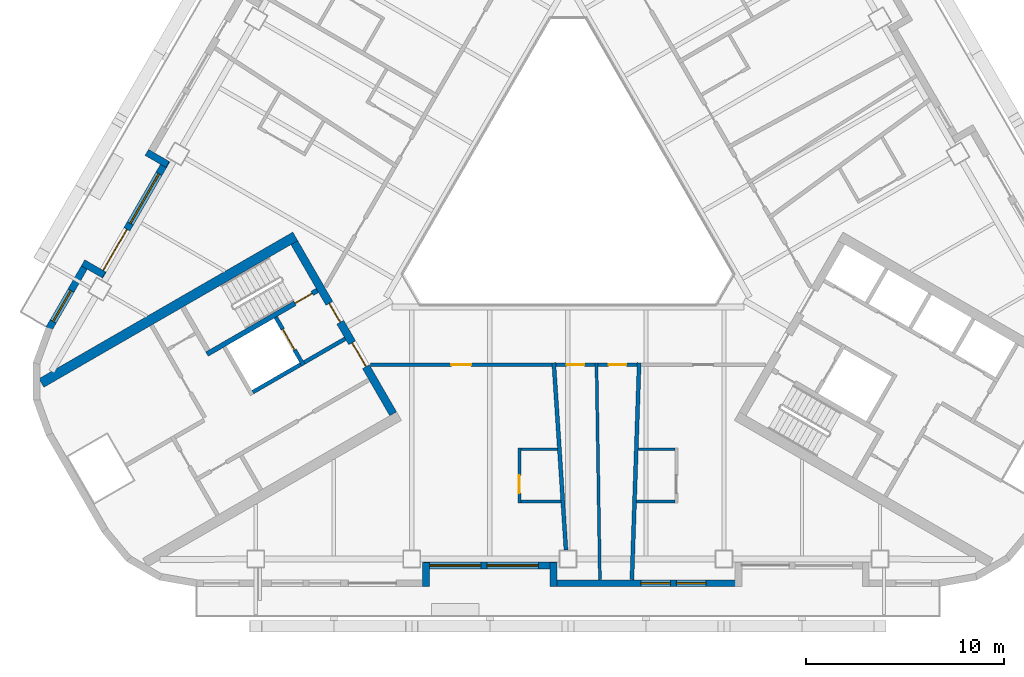
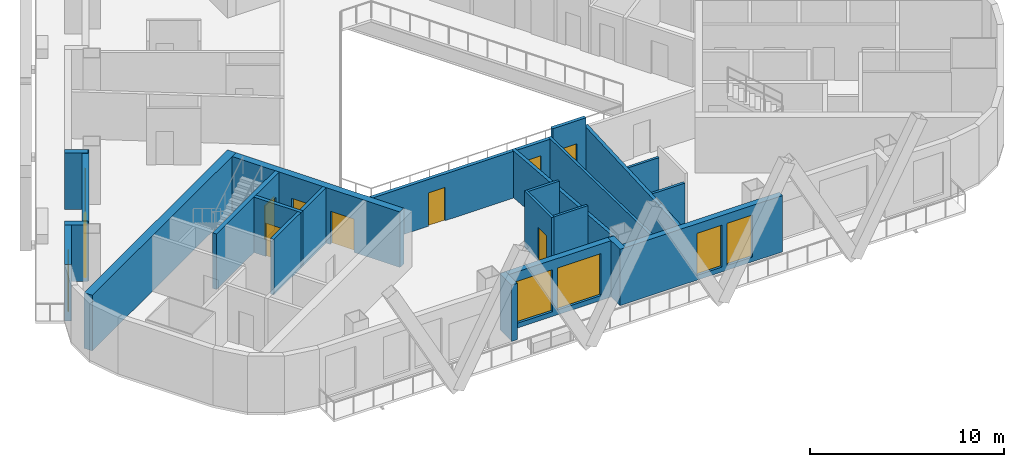
# One storey, part 3 of 14: 25 walls, 9 doors, 6 windows, 15 openings.
"""IFC4 building model written with IfcOpenShell, lengths in metres."""

from ifc_helpers import new_model, si_unit, direction, frame, frame_2d, origin, place, context, subcontext, project, spatial, rectangle, extrude, material, layer, layer_set, type_object, element, fill, save


model = new_model("IFC4")

# Units and contexts
model_context = context("Model", 3, precision=1e-05, world=origin(), true_north=direction((0.0, 1.0)))
body_context = subcontext(model_context, "Body", "Model", "MODEL_VIEW")
ifc_project = project(units=[si_unit("LENGTHUNIT", "METRE"), si_unit("AREAUNIT", "SQUARE_METRE"), si_unit("VOLUMEUNIT", "CUBIC_METRE"), si_unit("PLANEANGLEUNIT", "RADIAN"), si_unit("MASSUNIT", "GRAM", prefix="KILO")], contexts=[model_context])

# Site, building, storey
site_placement = place(None, origin())
site = spatial("IfcSite", under=ifc_project, at=site_placement, CompositionType="ELEMENT")
building_placement = place(site_placement, origin())
building = spatial("IfcBuilding", under=site, at=building_placement, Name="Apuvela Tower Hotel", CompositionType="ELEMENT")
storey_placement = place(building_placement, frame((0.0, 0.0, 113.10009765625)))
storey = spatial("IfcBuildingStorey", under=building, at=storey_placement, Name="L26", CompositionType="ELEMENT", Elevation=113.10009765625)

# Wall, openings, doors
ifc_material_1 = material(Name="Concrete C50/60", Category="concrete")
ifc_layer_1 = layer(ifc_material_1, 0.39990234375)
ifc_layer_set_1 = layer_set([ifc_layer_1], Name="COR-WALL-CORE-400")
wall_type_1 = type_object("IfcWallType", Name="COR-WALL-CORE-400", PredefinedType="SHEAR", material=ifc_layer_set_1)
wall_1_placement = place(storey_placement, frame((-13.844970703125, -2.219970703125, 0.0), z_axis=(0.0, 0.0, 1.0), x_axis=(0.500004234368, -0.866022959057, 0.0)))
wall_1 = element("IfcWall", 1, at=wall_1_placement, inside=storey, type_object=wall_type_1, Name="Core wall SW", PredefinedType="SHEAR", context=body_context, shape_type="SweptSolid", body=[
    extrude(rectangle(XDim=10.0, YDim=0.39990234375, at=frame_2d((5.0, 0.0))), origin(), (0.0, 0.0, 1.0), 3.5),
])
opening_1_placement = place(wall_1_placement, frame((3.550048828125, 0.0, 0.0)))
opening_1 = element("IfcOpeningElement", 2, at=opening_1_placement, cuts=wall_1, Name="Opening W-FD", PredefinedType="OPENING", context=body_context, shape_type="SweptSolid", body=[
    extrude(rectangle(XDim=1.10009765625, YDim=2.10009765625, at=frame_2d((0.550048828125, 1.050048828125))), frame((0.0, 0.2099609375, 0.0), z_axis=(0.0, -1.0, 0.0), x_axis=(1.0, 0.0, 0.0)), (0.0, 0.0, 1.0), 0.419921875),
])
opening_2_placement = place(wall_1_placement, frame((5.85009765625, 0.0, 0.0)))
opening_2 = element("IfcOpeningElement", 3, at=opening_2_placement, cuts=wall_1, Name="Opening W-GD", PredefinedType="OPENING", context=body_context, shape_type="SweptSolid", body=[
    extrude(rectangle(XDim=1.39990234375, YDim=2.10009765625, at=frame_2d((0.699951171875, 1.050048828125))), frame((0.0, 0.2099609375, 0.0), z_axis=(0.0, -1.0, 0.0), x_axis=(1.0, 0.0, 0.0)), (0.0, 0.0, 1.0), 0.419921875),
])
ifc_material_2 = material(Name="Steel fire door, powder coated", Category="steel")
door_type_1 = type_object("IfcDoorType", Name="COR-FD-1100", OperationType="NOTDEFINED", PredefinedType="DOOR", material=ifc_material_2)
door_1_placement = place(opening_1_placement, frame((1.10009765625, 0.0, 0.0), z_axis=(0.0, 0.0, 1.0), x_axis=(-1.0, 0.0, 0.0)))
door_1 = element("IfcDoor", 4, at=door_1_placement, inside=storey, type_object=door_type_1, Name="Firefighting lobby door W-FD", OperationType="SINGLE_SWING_LEFT", OverallHeight=2.10009765625, OverallWidth=1.10009765625, PredefinedType="DOOR", context=body_context, shape_type="SweptSolid", body=[
    extrude(rectangle(XDim=1.10009765625, YDim=2.10009765625, at=frame_2d((0.550048828125, 1.050048828125))), frame((0.0, 0.02490234375, 0.0), z_axis=(0.0, -1.0, 0.0), x_axis=(1.0, 0.0, 0.0)), (0.0, 0.0, 1.0), 0.050048828125),
])
fill(opening_1, door_1)
ifc_material_3 = material(Name="Glazed steel fire door", Category="steel")
door_type_2 = type_object("IfcDoorType", Name="COR-GD-1400", OperationType="DOUBLE_DOOR_SINGLE_SWING", PredefinedType="DOOR", material=ifc_material_3)
door_2_placement = place(opening_2_placement, frame((1.39990234375, 0.0, 0.0), z_axis=(0.0, 0.0, 1.0), x_axis=(-1.0, 0.0, 0.0)))
door_2 = element("IfcDoor", 5, at=door_2_placement, inside=storey, type_object=door_type_2, Name="Lift lobby door W-GD", OperationType="DOUBLE_DOOR_SINGLE_SWING", OverallHeight=2.10009765625, OverallWidth=1.39990234375, PredefinedType="DOOR", context=body_context, shape_type="SweptSolid", body=[
    extrude(rectangle(XDim=1.39990234375, YDim=2.10009765625, at=frame_2d((0.699951171875, 1.050048828125))), frame((0.0, 0.02490234375, 0.0), z_axis=(0.0, -1.0, 0.0), x_axis=(1.0, 0.0, 0.0)), (0.0, 0.0, 1.0), 0.050048828125),
])
fill(opening_2, door_2)

# Wall
ifc_layer_2 = layer(ifc_material_1, 0.5)
ifc_layer_set_2 = layer_set([ifc_layer_2], Name="COR-WALL-CORE-500")
wall_type_2 = type_object("IfcWallType", Name="COR-WALL-CORE-500", PredefinedType="SHEAR", material=ifc_layer_set_2)
wall_2_placement = place(storey_placement, frame((-13.796630859375, -1.9033203125, 0.0), z_axis=(0.0, 0.0, 1.0), x_axis=(-0.866025009528, -0.500000682871, 0.0)))
element("IfcWall", 6, at=wall_2_placement, inside=storey, type_object=wall_type_2, Name="Core wall SW", PredefinedType="SHEAR", context=body_context, shape_type="SweptSolid", body=[
    extrude(rectangle(XDim=14.8369140625, YDim=0.5, at=frame_2d((7.41845703125, 0.0))), origin(), (0.0, 0.0, 1.0), 3.5),
])

# Wall, opening, door
ifc_layer_3 = layer(ifc_material_1, 0.199951171875)
ifc_layer_set_3 = layer_set([ifc_layer_3], Name="COR-WALL-SHAFT-200")
wall_type_3 = type_object("IfcWallType", Name="COR-WALL-SHAFT-200", PredefinedType="SHEAR", material=ifc_layer_set_3)
wall_3_placement = place(storey_placement, frame((-14.783203125, -5.99462890625, 0.0), z_axis=(0.0, 0.0, 1.0), x_axis=(0.49994636267, -0.866056369097, 0.0)))
wall_3 = element("IfcWall", 7, at=wall_3_placement, inside=storey, type_object=wall_type_3, Name="Shaft wall SW", PredefinedType="SHEAR", context=body_context, shape_type="SweptSolid", body=[
    extrude(rectangle(XDim=2.800048828125, YDim=0.199951171875, at=frame_2d((1.39990234375, 0.0))), origin(), (0.0, 0.0, 1.0), 3.5),
])
opening_3_placement = place(wall_3_placement, frame((0.699951171875, 0.0, 0.0)))
opening_3 = element("IfcOpeningElement", 8, at=opening_3_placement, cuts=wall_3, Name="Opening W-LD-FS2", PredefinedType="OPENING", context=body_context, shape_type="SweptSolid", body=[
    extrude(rectangle(XDim=1.199951171875, YDim=2.10009765625, at=frame_2d((0.60009765625, 1.050048828125))), frame((0.0, 0.10986328125, 0.0), z_axis=(0.0, -1.0, 0.0), x_axis=(1.0, 0.0, 0.0)), (0.0, 0.0, 1.0), 0.219970703125),
])
ifc_material_4 = material(Name="Stainless steel lift landing door", Category="steel")
door_type_3 = type_object("IfcDoorType", Name="COR-LD-1200", OperationType="DOUBLE_DOOR_SLIDING", PredefinedType="DOOR", material=ifc_material_4)
door_3_placement = place(opening_3_placement, origin())
door_3 = element("IfcDoor", 9, at=door_3_placement, inside=storey, type_object=door_type_3, Name="Lift landing door W-LD-FS2", OperationType="DOUBLE_DOOR_SLIDING", OverallHeight=2.10009765625, OverallWidth=1.199951171875, PredefinedType="DOOR", context=body_context, shape_type="SweptSolid", body=[
    extrude(rectangle(XDim=1.199951171875, YDim=2.10009765625, at=frame_2d((0.60009765625, 1.050048828125))), frame((0.0, 0.02490234375, 0.0), z_axis=(0.0, -1.0, 0.0), x_axis=(1.0, 0.0, 0.0)), (0.0, 0.0, 1.0), 0.050048828125),
])
fill(opening_3, door_3)

# Walls
wall_4_placement = place(storey_placement, frame((-13.519775390625, -8.383056640625, 0.0), z_axis=(0.0, 0.0, 1.0), x_axis=(-0.866034573852, -0.49998411664, 0.0)))
element("IfcWall", 10, at=wall_4_placement, inside=storey, type_object=wall_type_3, Name="Shaft wall SW", PredefinedType="SHEAR", context=body_context, shape_type="SweptSolid", body=[
    extrude(rectangle(XDim=2.7998046875, YDim=0.199951171875, at=frame_2d((1.39990234375, 0.0))), origin(), (0.0, 0.0, 1.0), 3.5),
])
wall_5_placement = place(storey_placement, frame((-11.26806640625, -7.0830078125, 0.0), z_axis=(0.0, 0.0, 1.0), x_axis=(-0.866050077142, -0.499957262057, 0.0)))
element("IfcWall", 11, at=wall_5_placement, inside=storey, type_object=wall_type_3, Name="Shaft wall SW", PredefinedType="SHEAR", context=body_context, shape_type="SweptSolid", body=[
    extrude(rectangle(XDim=2.400146484375, YDim=0.199951171875, at=frame_2d((1.2001953125, 0.0))), origin(), (0.0, 0.0, 1.0), 3.5),
])

# Wall, opening, door
ifc_layer_4 = layer(ifc_material_1, 0.25)
ifc_layer_set_4 = layer_set([ifc_layer_4], Name="COR-WALL-STAIR-250")
wall_type_4 = type_object("IfcWallType", Name="COR-WALL-STAIR-250", PredefinedType="SHEAR", material=ifc_layer_set_4)
wall_6_placement = place(storey_placement, frame((-12.6806640625, -4.636474609375, 0.0), z_axis=(0.0, 0.0, 1.0), x_axis=(-0.866021702275, -0.500006411147, 0.0)))
wall_6 = element("IfcWall", 12, at=wall_6_placement, inside=storey, type_object=wall_type_4, Name="Stair wall SW", PredefinedType="SHEAR", context=body_context, shape_type="SweptSolid", body=[
    extrude(rectangle(XDim=6.4501953125, YDim=0.25, at=frame_2d((3.22509765625, 0.0))), origin(), (0.0, 0.0, 1.0), 3.5),
])
opening_4_placement = place(wall_6_placement, frame((0.300048828125, 0.0, 0.0)))
opening_4 = element("IfcOpeningElement", 13, at=opening_4_placement, cuts=wall_6, Name="Opening W-SD", PredefinedType="OPENING", context=body_context, shape_type="SweptSolid", body=[
    extrude(rectangle(XDim=1.0, YDim=2.10009765625, at=frame_2d((0.5, 1.050048828125))), frame((0.0, 0.135009765625, 0.0), z_axis=(0.0, -1.0, 0.0), x_axis=(1.0, 0.0, 0.0)), (0.0, 0.0, 1.0), 0.27001953125),
])
door_type_4 = type_object("IfcDoorType", Name="COR-SD-1000", OperationType="NOTDEFINED", PredefinedType="DOOR", material=ifc_material_2)
door_4_placement = place(opening_4_placement, frame((1.0, 0.0, 0.0), z_axis=(0.0, 0.0, 1.0), x_axis=(-1.0, 0.0, 0.0)))
door_4 = element("IfcDoor", 14, at=door_4_placement, inside=storey, type_object=door_type_4, Name="Stair door W-SD", OperationType="SINGLE_SWING_LEFT", OverallHeight=2.10009765625, OverallWidth=1.0, PredefinedType="DOOR", context=body_context, shape_type="SweptSolid", body=[
    extrude(rectangle(XDim=1.0, YDim=2.10009765625, at=frame_2d((0.5, 1.050048828125))), frame((0.0, 0.02490234375, 0.0), z_axis=(0.0, -1.0, 0.0), x_axis=(1.0, 0.0, 0.0)), (0.0, 0.0, 1.0), 0.050048828125),
])
fill(opening_4, door_4)

# Wall
ifc_material_5 = material(Name="Concrete C40/50, dark pigmented precast panel", Category="concrete")
ifc_layer_5 = layer(ifc_material_5, 0.35009765625)
ifc_layer_set_5 = layer_set([ifc_layer_5], Name="ENV-WALL-350")
wall_type_5 = type_object("IfcWallType", Name="ENV-WALL-350", PredefinedType="SOLIDWALL", material=ifc_layer_set_5)
wall_7_placement = place(storey_placement, frame((-21.3125, 2.345703125, 0.0), z_axis=(0.0, 0.0, 1.0), x_axis=(0.866005645448, -0.500034220881, 0.0)))
element("IfcWall", 15, at=wall_7_placement, inside=storey, type_object=wall_type_5, Name="External wall L26-06", PredefinedType="SOLIDWALL", context=body_context, shape_type="SweptSolid", body=[
    extrude(rectangle(XDim=1.22021484375, YDim=0.35009765625, at=frame_2d((0.610107421875, 0.0))), origin(), (0.0, 0.0, 1.0), 3.5498046875),
])

# Wall, openings, door, window
wall_8_placement = place(storey_placement, frame((-20.30908203125, 1.93359375, 0.0), z_axis=(0.0, 0.0, 1.0), x_axis=(-0.499992114976, -0.866029956157, 0.0)))
wall_8 = element("IfcWall", 16, at=wall_8_placement, inside=storey, type_object=wall_type_5, Name="External wall L26-07", PredefinedType="SOLIDWALL", context=body_context, shape_type="SweptSolid", body=[
    extrude(rectangle(XDim=6.73974609375, YDim=0.35009765625, at=frame_2d((3.369873046875, 0.0))), origin(), (0.0, 0.0, 1.0), 3.5498046875),
])
opening_5_placement = place(wall_8_placement, frame((4.02001953125, 0.0, 0.0)))
opening_5 = element("IfcOpeningElement", 17, at=opening_5_placement, cuts=wall_8, Name="Opening BD24", PredefinedType="OPENING", context=body_context, shape_type="SweptSolid", body=[
    extrude(rectangle(XDim=2.39990234375, YDim=2.39990234375, at=frame_2d((1.199951171875, 1.199951171875))), frame((0.0, 0.18505859375, 0.0), z_axis=(0.0, -1.0, 0.0), x_axis=(1.0, 0.0, 0.0)), (0.0, 0.0, 1.0), 0.3701171875),
])
opening_6_placement = place(wall_8_placement, frame((0.77001953125, 0.0, 0.300048828125)))
opening_6 = element("IfcOpeningElement", 18, at=opening_6_placement, cuts=wall_8, Name="Opening WN29", PredefinedType="OPENING", context=body_context, shape_type="SweptSolid", body=[
    extrude(rectangle(XDim=2.89990234375, YDim=2.64990234375, at=frame_2d((1.449951171875, 1.324951171875))), frame((0.0, 0.18505859375, 0.0), z_axis=(0.0, -1.0, 0.0), x_axis=(1.0, 0.0, 0.0)), (0.0, 0.0, 1.0), 0.3701171875),
])
ifc_material_6 = material(Name="Aluminium 6063-T6, dark bronze anodised frame with dark tinted laminated glass", Category="aluminium")
door_type_5 = type_object("IfcDoorType", Name="ENV-DOOR-BALCONY-2400x2400", OperationType="SLIDING_TO_LEFT", PredefinedType="DOOR", material=ifc_material_6)
door_5_placement = place(opening_5_placement, frame((2.39990234375, 0.0, 0.0), z_axis=(0.0, 0.0, 1.0), x_axis=(-1.0, 0.0, 0.0)))
door_5 = element("IfcDoor", 19, at=door_5_placement, inside=storey, type_object=door_type_5, Name="Balcony door BD24", OperationType="SLIDING_TO_LEFT", OverallHeight=2.39990234375, OverallWidth=2.39990234375, PredefinedType="DOOR", context=body_context, shape_type="SweptSolid", body=[
    extrude(rectangle(XDim=2.39990234375, YDim=2.39990234375, at=frame_2d((1.199951171875, 1.199951171875))), frame((0.0, 0.02490234375, 0.0), z_axis=(0.0, -1.0, 0.0), x_axis=(1.0, 0.0, 0.0)), (0.0, 0.0, 1.0), 0.050048828125),
])
fill(opening_5, door_5)
ifc_material_7 = material(Name="Glass, dark tinted laminated insulated glazing unit", Category="glass")
window_type_1 = type_object("IfcWindowType", Name="ENV-WIN-2900x2650", PartitioningType="SINGLE_PANEL", PredefinedType="WINDOW", material=ifc_material_7)
window_1_placement = place(opening_6_placement, origin())
window_1 = element("IfcWindow", 20, at=window_1_placement, inside=storey, type_object=window_type_1, Name="Window WN29", OverallHeight=2.64990234375, OverallWidth=2.89990234375, PartitioningType="SINGLE_PANEL", PredefinedType="WINDOW", context=body_context, shape_type="SweptSolid", body=[
    extrude(rectangle(XDim=2.89990234375, YDim=2.64990234375, at=frame_2d((1.449951171875, 1.324951171875))), frame((0.0, 0.030029296875, 0.0), z_axis=(0.0, -1.0, 0.0), x_axis=(1.0, 0.0, 0.0)), (0.0, 0.0, 1.0), 0.06005859375),
])
fill(opening_6, window_1)

# Wall
wall_9_placement = place(storey_placement, frame((-23.48095703125, -3.85009765625, 0.0), z_axis=(0.0, 0.0, 1.0), x_axis=(-0.866092288191, 0.499884134912, 0.0)))
element("IfcWall", 21, at=wall_9_placement, inside=storey, type_object=wall_type_5, Name="External wall L26-08", PredefinedType="SOLIDWALL", context=body_context, shape_type="SweptSolid", body=[
    extrude(rectangle(XDim=1.219970703125, YDim=0.35009765625, at=frame_2d((0.60986328125, 0.0))), origin(), (0.0, 0.0, 1.0), 3.5498046875),
])

# Wall, opening, window
wall_10_placement = place(storey_placement, frame((-24.298583984375, -3.17626953125, 0.0), z_axis=(0.0, 0.0, 1.0), x_axis=(-0.500028278809, -0.866009076391, 0.0)))
wall_10 = element("IfcWall", 22, at=wall_10_placement, inside=storey, type_object=wall_type_5, Name="External wall L26-09", PredefinedType="SOLIDWALL", context=body_context, shape_type="SweptSolid", body=[
    extrude(rectangle(XDim=3.915771484375, YDim=0.35009765625, at=frame_2d((1.9580078125, 0.0))), origin(), (0.0, 0.0, 1.0), 3.5498046875),
])
opening_7_placement = place(wall_10_placement, frame((1.699951171875, 0.0, 0.300048828125)))
opening_7 = element("IfcOpeningElement", 23, at=opening_7_placement, cuts=wall_10, Name="Opening WN18", PredefinedType="OPENING", context=body_context, shape_type="SweptSolid", body=[
    extrude(rectangle(XDim=1.800048828125, YDim=2.64990234375, at=frame_2d((0.89990234375, 1.324951171875))), frame((0.0, 0.18505859375, 0.0), z_axis=(0.0, -1.0, 0.0), x_axis=(1.0, 0.0, 0.0)), (0.0, 0.0, 1.0), 0.3701171875),
])
window_type_2 = type_object("IfcWindowType", Name="ENV-WIN-1800x2650", PartitioningType="SINGLE_PANEL", PredefinedType="WINDOW", material=ifc_material_7)
window_2_placement = place(opening_7_placement, origin())
window_2 = element("IfcWindow", 24, at=window_2_placement, inside=storey, type_object=window_type_2, Name="Window WN18", OverallHeight=2.64990234375, OverallWidth=1.800048828125, PartitioningType="SINGLE_PANEL", PredefinedType="WINDOW", context=body_context, shape_type="SweptSolid", body=[
    extrude(rectangle(XDim=1.800048828125, YDim=2.64990234375, at=frame_2d((0.89990234375, 1.324951171875))), frame((0.0, 0.030029296875, 0.0), z_axis=(0.0, -1.0, 0.0), x_axis=(1.0, 0.0, 0.0)), (0.0, 0.0, 1.0), 0.06005859375),
])
fill(opening_7, window_2)

# Wall
wall_11_placement = place(storey_placement, frame((-7.175048828125, -19.6298828125, 0.0), z_axis=(0.0, 0.0, 1.0), x_axis=(0.0, 1.0, 0.0)))
element("IfcWall", 25, at=wall_11_placement, inside=storey, type_object=wall_type_5, Name="External wall L26-18", PredefinedType="SOLIDWALL", context=body_context, shape_type="SweptSolid", body=[
    extrude(rectangle(XDim=1.219970703125, YDim=0.35009765625, at=frame_2d((0.60986328125, 0.0))), origin(), (0.0, 0.0, 1.0), 3.5498046875),
])

# Wall, openings, windows
wall_12_placement = place(storey_placement, frame((-7.320068359375, -18.554931640625, 0.0), z_axis=(0.0, 0.0, 1.0), x_axis=(1.0, 0.0, 0.0)))
wall_12 = element("IfcWall", 26, at=wall_12_placement, inside=storey, type_object=wall_type_5, Name="External wall L26-19", PredefinedType="SOLIDWALL", context=body_context, shape_type="SweptSolid", body=[
    extrude(rectangle(XDim=6.739990234375, YDim=0.35009765625, at=frame_2d((3.3701171875, 0.0))), origin(), (0.0, 0.0, 1.0), 3.5498046875),
])
opening_8_placement = place(wall_12_placement, frame((0.3203125, 0.0, 0.300048828125)))
opening_8 = element("IfcOpeningElement", 27, at=opening_8_placement, cuts=wall_12, Name="Opening WN26", PredefinedType="OPENING", context=body_context, shape_type="SweptSolid", body=[
    extrude(rectangle(XDim=2.60009765625, YDim=2.64990234375, at=frame_2d((1.300048828125, 1.324951171875))), frame((0.0, 0.18505859375, 0.0), z_axis=(0.0, -1.0, 0.0), x_axis=(1.0, 0.0, 0.0)), (0.0, 0.0, 1.0), 0.3701171875),
])
opening_9_placement = place(wall_12_placement, frame((3.220458984375, 0.0, 0.300048828125)))
opening_9 = element("IfcOpeningElement", 28, at=opening_9_placement, cuts=wall_12, Name="Opening WN26", PredefinedType="OPENING", context=body_context, shape_type="SweptSolid", body=[
    extrude(rectangle(XDim=2.60009765625, YDim=2.64990234375, at=frame_2d((1.300048828125, 1.324951171875))), frame((0.0, 0.18505859375, 0.0), z_axis=(0.0, -1.0, 0.0), x_axis=(1.0, 0.0, 0.0)), (0.0, 0.0, 1.0), 0.3701171875),
])
window_type_3 = type_object("IfcWindowType", Name="ENV-WIN-2600x2650", PartitioningType="SINGLE_PANEL", PredefinedType="WINDOW", material=ifc_material_7)
window_3_placement = place(opening_8_placement, origin())
window_3 = element("IfcWindow", 29, at=window_3_placement, inside=storey, type_object=window_type_3, Name="Window WN26", OverallHeight=2.64990234375, OverallWidth=2.60009765625, PartitioningType="SINGLE_PANEL", PredefinedType="WINDOW", context=body_context, shape_type="SweptSolid", body=[
    extrude(rectangle(XDim=2.60009765625, YDim=2.64990234375, at=frame_2d((1.300048828125, 1.324951171875))), frame((0.0, 0.030029296875, 0.0), z_axis=(0.0, -1.0, 0.0), x_axis=(1.0, 0.0, 0.0)), (0.0, 0.0, 1.0), 0.06005859375),
])
fill(opening_8, window_3)
window_4_placement = place(opening_9_placement, origin())
window_4 = element("IfcWindow", 30, at=window_4_placement, inside=storey, type_object=window_type_3, Name="Window WN26", OverallHeight=2.64990234375, OverallWidth=2.60009765625, PartitioningType="SINGLE_PANEL", PredefinedType="WINDOW", context=body_context, shape_type="SweptSolid", body=[
    extrude(rectangle(XDim=2.60009765625, YDim=2.64990234375, at=frame_2d((1.300048828125, 1.324951171875))), frame((0.0, 0.030029296875, 0.0), z_axis=(0.0, -1.0, 0.0), x_axis=(1.0, 0.0, 0.0)), (0.0, 0.0, 1.0), 0.06005859375),
])
fill(opening_9, window_4)

# Wall
wall_13_placement = place(storey_placement, frame((-0.72509765625, -18.409912109375, 0.0), z_axis=(0.0, 0.0, 1.0), x_axis=(0.0, -1.0, 0.0)))
element("IfcWall", 31, at=wall_13_placement, inside=storey, type_object=wall_type_5, Name="External wall L26-20", PredefinedType="SOLIDWALL", context=body_context, shape_type="SweptSolid", body=[
    extrude(rectangle(XDim=1.219970703125, YDim=0.35009765625, at=frame_2d((0.60986328125, 0.0))), origin(), (0.0, 0.0, 1.0), 3.5498046875),
])

# Wall, openings, windows
wall_14_placement = place(storey_placement, frame((-0.89990234375, -19.455078125, 0.0), z_axis=(0.0, 0.0, 1.0), x_axis=(1.0, 0.0, 0.0)))
wall_14 = element("IfcWall", 32, at=wall_14_placement, inside=storey, type_object=wall_type_5, Name="External wall L26-21", PredefinedType="SOLIDWALL", context=body_context, shape_type="SweptSolid", body=[
    extrude(rectangle(XDim=9.699951171875, YDim=0.35009765625, at=frame_2d((4.85009765625, 0.0))), origin(), (0.0, 0.0, 1.0), 3.5498046875),
])
opening_10_placement = place(wall_14_placement, frame((4.58984375, 0.0, 0.300048828125)))
opening_10 = element("IfcOpeningElement", 33, at=opening_10_placement, cuts=wall_14, Name="Opening WN15", PredefinedType="OPENING", context=body_context, shape_type="SweptSolid", body=[
    extrude(rectangle(XDim=1.5, YDim=2.64990234375, at=frame_2d((0.75, 1.324951171875))), frame((0.0, 0.18505859375, 0.0), z_axis=(0.0, -1.0, 0.0), x_axis=(1.0, 0.0, 0.0)), (0.0, 0.0, 1.0), 0.3701171875),
])
opening_11_placement = place(wall_14_placement, frame((6.389892578125, 0.0, 0.300048828125)))
opening_11 = element("IfcOpeningElement", 34, at=opening_11_placement, cuts=wall_14, Name="Opening WN15", PredefinedType="OPENING", context=body_context, shape_type="SweptSolid", body=[
    extrude(rectangle(XDim=1.5, YDim=2.64990234375, at=frame_2d((0.75, 1.324951171875))), frame((0.0, 0.18505859375, 0.0), z_axis=(0.0, -1.0, 0.0), x_axis=(1.0, 0.0, 0.0)), (0.0, 0.0, 1.0), 0.3701171875),
])
window_type_4 = type_object("IfcWindowType", Name="ENV-WIN-1500x2650", PartitioningType="SINGLE_PANEL", PredefinedType="WINDOW", material=ifc_material_7)
window_5_placement = place(opening_10_placement, origin())
window_5 = element("IfcWindow", 35, at=window_5_placement, inside=storey, type_object=window_type_4, Name="Window WN15", OverallHeight=2.64990234375, OverallWidth=1.5, PartitioningType="SINGLE_PANEL", PredefinedType="WINDOW", context=body_context, shape_type="SweptSolid", body=[
    extrude(rectangle(XDim=1.5, YDim=2.64990234375, at=frame_2d((0.75, 1.324951171875))), frame((0.0, 0.030029296875, 0.0), z_axis=(0.0, -1.0, 0.0), x_axis=(1.0, 0.0, 0.0)), (0.0, 0.0, 1.0), 0.06005859375),
])
fill(opening_10, window_5)
window_6_placement = place(opening_11_placement, origin())
window_6 = element("IfcWindow", 36, at=window_6_placement, inside=storey, type_object=window_type_4, Name="Window WN15", OverallHeight=2.64990234375, OverallWidth=1.5, PartitioningType="SINGLE_PANEL", PredefinedType="WINDOW", context=body_context, shape_type="SweptSolid", body=[
    extrude(rectangle(XDim=1.5, YDim=2.64990234375, at=frame_2d((0.75, 1.324951171875))), frame((0.0, 0.030029296875, 0.0), z_axis=(0.0, -1.0, 0.0), x_axis=(1.0, 0.0, 0.0)), (0.0, 0.0, 1.0), 0.06005859375),
])
fill(opening_11, window_6)

# Walls
ifc_material_8 = material(Name="Gypsum board partition on twin steel stud", Category="steel")
ifc_layer_6 = layer(ifc_material_8, 0.199951171875)
ifc_layer_set_6 = layer_set([ifc_layer_6], Name="GST-PW1")
wall_type_6 = type_object("IfcWallType", Name="GST-PW1", PredefinedType="PARTITIONING", material=ifc_layer_set_6)
wall_15_placement = place(storey_placement, frame((-0.097412109375, -17.780029296875, 0.0), z_axis=(0.0, 0.0, 1.0), x_axis=(-0.064787627283, 0.997899074732, 0.0)))
element("IfcWall", 37, at=wall_15_placement, inside=storey, type_object=wall_type_6, Name="L26 partition 01", PredefinedType="PARTITIONING", context=body_context, shape_type="SweptSolid", body=[
    extrude(rectangle(XDim=9.5, YDim=0.199951171875, at=frame_2d((4.75, 0.0))), origin(), (0.0, 0.0, 1.0), 2.949951171875),
])
wall_16_placement = place(storey_placement, frame((3.239990234375, -19.280029296875, 0.0), z_axis=(0.0, 0.0, 1.0), x_axis=(0.033378464475, 0.99944278381, 0.0)))
element("IfcWall", 38, at=wall_16_placement, inside=storey, type_object=wall_type_6, Name="L26 partition 02", PredefinedType="PARTITIONING", context=body_context, shape_type="SweptSolid", body=[
    extrude(rectangle(XDim=10.986083984375, YDim=0.199951171875, at=frame_2d((5.4931640625, 0.0))), origin(), (0.0, 0.0, 1.0), 2.9599609375),
])

# Wall, opening, door
ifc_material_9 = material(Name="Gypsum board corridor wall on twin steel stud, acoustic", Category="steel")
ifc_layer_7 = layer(ifc_material_9, 0.199951171875)
ifc_layer_set_7 = layer_set([ifc_layer_7], Name="GST-PW2")
wall_type_7 = type_object("IfcWallType", Name="GST-PW2", PredefinedType="PARTITIONING", material=ifc_layer_set_7)
wall_17_placement = place(storey_placement, frame((-0.806640625, -8.39990234375, 0.0), z_axis=(0.0, 0.0, 1.0), x_axis=(-1.0, 0.0, 0.0)))
wall_17 = element("IfcWall", 39, at=wall_17_placement, inside=storey, type_object=wall_type_7, Name="L26 partition 08", PredefinedType="PARTITIONING", context=body_context, shape_type="SweptSolid", body=[
    extrude(rectangle(XDim=9.181640625, YDim=0.199951171875, at=frame_2d((4.5908203125, 0.0))), origin(), (0.0, 0.0, 1.0), 2.949951171875),
])
opening_12_placement = place(wall_17_placement, frame((4.0908203125, 0.0, 0.0)))
opening_12 = element("IfcOpeningElement", 40, at=opening_12_placement, cuts=wall_17, Name="Opening GD09-02", PredefinedType="OPENING", context=body_context, shape_type="SweptSolid", body=[
    extrude(rectangle(XDim=1.0, YDim=2.10009765625, at=frame_2d((0.5, 1.050048828125))), frame((0.0, 0.10986328125, 0.0), z_axis=(0.0, -1.0, 0.0), x_axis=(1.0, 0.0, 0.0)), (0.0, 0.0, 1.0), 0.219970703125),
])
ifc_material_10 = material(Name="Timber door leaf in steel frame", Category="steel")
door_type_6 = type_object("IfcDoorType", Name="GST-D1", OperationType="NOTDEFINED", PredefinedType="DOOR", material=ifc_material_10)
door_6_placement = place(opening_12_placement, origin())
door_6 = element("IfcDoor", 41, at=door_6_placement, inside=storey, type_object=door_type_6, Name="Door L26-02", OperationType="SINGLE_SWING_LEFT", OverallHeight=2.10009765625, OverallWidth=1.0, PredefinedType="DOOR", context=body_context, shape_type="SweptSolid", body=[
    extrude(rectangle(XDim=1.0, YDim=2.10009765625, at=frame_2d((0.5, 1.050048828125))), frame((0.0, 0.02490234375, 0.0), z_axis=(0.0, -1.0, 0.0), x_axis=(1.0, 0.0, 0.0)), (0.0, 0.0, 1.0), 0.050048828125),
])
fill(opening_12, door_6)

wall_18_placement = place(storey_placement, frame((1.373291015625, -8.39990234375, 0.0), z_axis=(0.0, 0.0, 1.0), x_axis=(-1.0, 0.0, 0.0)))
wall_18 = element("IfcWall", 42, at=wall_18_placement, inside=storey, type_object=wall_type_7, Name="L26 partition 13", PredefinedType="PARTITIONING", context=body_context, shape_type="SweptSolid", body=[
    extrude(rectangle(XDim=1.9794921875, YDim=0.199951171875, at=frame_2d((0.98974609375, 0.0))), origin(), (0.0, 0.0, 1.0), 2.949951171875),
])
opening_13_placement = place(wall_18_placement, frame((0.539794921875, 0.0, 0.0)))
opening_13 = element("IfcOpeningElement", 43, at=opening_13_placement, cuts=wall_18, Name="Opening GD09-03", PredefinedType="OPENING", context=body_context, shape_type="SweptSolid", body=[
    extrude(rectangle(XDim=0.89990234375, YDim=2.10009765625, at=frame_2d((0.449951171875, 1.050048828125))), frame((0.0, 0.10986328125, 0.0), z_axis=(0.0, -1.0, 0.0), x_axis=(1.0, 0.0, 0.0)), (0.0, 0.0, 1.0), 0.219970703125),
])
door_type_7 = type_object("IfcDoorType", Name="GST-D2", OperationType="NOTDEFINED", PredefinedType="DOOR", material=ifc_material_10)
door_7_placement = place(opening_13_placement, origin())
door_7 = element("IfcDoor", 44, at=door_7_placement, inside=storey, type_object=door_type_7, Name="Door L26-03", OperationType="SINGLE_SWING_LEFT", OverallHeight=2.10009765625, OverallWidth=0.89990234375, PredefinedType="DOOR", context=body_context, shape_type="SweptSolid", body=[
    extrude(rectangle(XDim=0.89990234375, YDim=2.10009765625, at=frame_2d((0.449951171875, 1.050048828125))), frame((0.0, 0.02490234375, 0.0), z_axis=(0.0, -1.0, 0.0), x_axis=(1.0, 0.0, 0.0)), (0.0, 0.0, 1.0), 0.050048828125),
])
fill(opening_13, door_7)

wall_19_placement = place(storey_placement, frame((3.50341796875, -8.39990234375, 0.0), z_axis=(0.0, 0.0, 1.0), x_axis=(-1.0, 0.0, 0.0)))
wall_19 = element("IfcWall", 45, at=wall_19_placement, inside=storey, type_object=wall_type_7, Name="L26 partition 14", PredefinedType="PARTITIONING", context=body_context, shape_type="SweptSolid", body=[
    extrude(rectangle(XDim=1.97998046875, YDim=0.199951171875, at=frame_2d((0.989990234375, 0.0))), origin(), (0.0, 0.0, 1.0), 3.5498046875),
])
opening_14_placement = place(wall_19_placement, frame((0.539794921875, 0.0, 0.0)))
opening_14 = element("IfcOpeningElement", 46, at=opening_14_placement, cuts=wall_19, Name="Opening GD09-04", PredefinedType="OPENING", context=body_context, shape_type="SweptSolid", body=[
    extrude(rectangle(XDim=0.89990234375, YDim=2.10009765625, at=frame_2d((0.449951171875, 1.050048828125))), frame((0.0, 0.10986328125, 0.0), z_axis=(0.0, -1.0, 0.0), x_axis=(1.0, 0.0, 0.0)), (0.0, 0.0, 1.0), 0.219970703125),
])
door_8_placement = place(opening_14_placement, origin())
door_8 = element("IfcDoor", 47, at=door_8_placement, inside=storey, type_object=door_type_7, Name="Door L26-04", OperationType="SINGLE_SWING_RIGHT", OverallHeight=2.10009765625, OverallWidth=0.89990234375, PredefinedType="DOOR", context=body_context, shape_type="SweptSolid", body=[
    extrude(rectangle(XDim=0.89990234375, YDim=2.10009765625, at=frame_2d((0.449951171875, 1.050048828125))), frame((0.0, 0.02490234375, 0.0), z_axis=(0.0, -1.0, 0.0), x_axis=(1.0, 0.0, 0.0)), (0.0, 0.0, 1.0), 0.050048828125),
])
fill(opening_14, door_8)

ifc_material_11 = material(Name="Moisture-resistant gypsum board wet wall on steel stud", Category="steel")
ifc_layer_8 = layer(ifc_material_11, 0.14990234375)
ifc_layer_set_8 = layer_set([ifc_layer_8], Name="GST-PW3")
wall_type_8 = type_object("IfcWallType", Name="GST-PW3", PredefinedType="PARTITIONING", material=ifc_layer_set_8)
wall_20_placement = place(storey_placement, frame((-2.458984375, -12.60009765625, 0.0), z_axis=(0.0, 0.0, 1.0), x_axis=(0.0, -1.0, 0.0)))
wall_20 = element("IfcWall", 48, at=wall_20_placement, inside=storey, type_object=wall_type_8, Name="L26 partition 09", PredefinedType="PARTITIONING", context=body_context, shape_type="SweptSolid", body=[
    extrude(rectangle(XDim=2.7998046875, YDim=0.14990234375, at=frame_2d((1.39990234375, 0.0))), origin(), (0.0, 0.0, 1.0), 3.5498046875),
])
opening_15_placement = place(wall_20_placement, frame((1.39990234375, 0.0, 0.0)))
opening_15 = element("IfcOpeningElement", 49, at=opening_15_placement, cuts=wall_20, Name="Opening GD09-01", PredefinedType="OPENING", context=body_context, shape_type="SweptSolid", body=[
    extrude(rectangle(XDim=0.89990234375, YDim=2.10009765625, at=frame_2d((0.449951171875, 1.050048828125))), frame((0.0, 0.0849609375, 0.0), z_axis=(0.0, -1.0, 0.0), x_axis=(1.0, 0.0, 0.0)), (0.0, 0.0, 1.0), 0.169921875),
])
door_9_placement = place(opening_15_placement, origin())
door_9 = element("IfcDoor", 50, at=door_9_placement, inside=storey, type_object=door_type_7, Name="Door L26-01", OperationType="SINGLE_SWING_RIGHT", OverallHeight=2.10009765625, OverallWidth=0.89990234375, PredefinedType="DOOR", context=body_context, shape_type="SweptSolid", body=[
    extrude(rectangle(XDim=0.89990234375, YDim=2.10009765625, at=frame_2d((0.449951171875, 1.050048828125))), frame((0.0, 0.02490234375, 0.0), z_axis=(0.0, -1.0, 0.0), x_axis=(1.0, 0.0, 0.0)), (0.0, 0.0, 1.0), 0.050048828125),
])
fill(opening_15, door_9)

# Walls
wall_21_placement = place(storey_placement, frame((-2.384033203125, -15.324951171875, 0.0), z_axis=(0.0, 0.0, 1.0), x_axis=(1.0, 0.0, 0.0)))
element("IfcWall", 51, at=wall_21_placement, inside=storey, type_object=wall_type_8, Name="L26 partition 10", PredefinedType="PARTITIONING", context=body_context, shape_type="SweptSolid", body=[
    extrude(rectangle(XDim=2.027099609375, YDim=0.14990234375, at=frame_2d((1.013671875, 0.0))), origin(), (0.0, 0.0, 1.0), 3.5498046875),
])
wall_22_placement = place(storey_placement, frame((-2.384033203125, -12.675048828125, 0.0), z_axis=(0.0, 0.0, 1.0), x_axis=(1.0, 0.0, 0.0)))
element("IfcWall", 52, at=wall_22_placement, inside=storey, type_object=wall_type_8, Name="L26 partition 11", PredefinedType="PARTITIONING", context=body_context, shape_type="SweptSolid", body=[
    extrude(rectangle(XDim=1.85498046875, YDim=0.14990234375, at=frame_2d((0.927490234375, 0.0))), origin(), (0.0, 0.0, 1.0), 3.5498046875),
])
wall_23_placement = place(storey_placement, frame((1.6201171875, -19.280029296875, 0.0), z_axis=(0.0, 0.0, 1.0), x_axis=(-0.015784932211, 0.999875410196, 0.0)))
element("IfcWall", 53, at=wall_23_placement, inside=storey, type_object=wall_type_8, Name="L26 partition 12", PredefinedType="PARTITIONING", context=body_context, shape_type="SweptSolid", body=[
    extrude(rectangle(XDim=10.9814453125, YDim=0.14990234375, at=frame_2d((5.49072265625, 0.0))), origin(), (0.0, 0.0, 1.0), 2.9599609375),
])
wall_24_placement = place(storey_placement, frame((3.47216796875, -15.324951171875, 0.0), z_axis=(0.0, 0.0, 1.0), x_axis=(1.0, 0.0, 0.0)))
element("IfcWall", 54, at=wall_24_placement, inside=storey, type_object=wall_type_8, Name="L26 partition 17", PredefinedType="PARTITIONING", context=body_context, shape_type="SweptSolid", body=[
    extrude(rectangle(XDim=1.94091796875, YDim=0.14990234375, at=frame_2d((0.970458984375, 0.0))), origin(), (0.0, 0.0, 1.0), 2.949951171875),
])
wall_25_placement = place(storey_placement, frame((3.560546875, -12.675048828125, 0.0), z_axis=(0.0, 0.0, 1.0), x_axis=(1.0, 0.0, 0.0)))
element("IfcWall", 55, at=wall_25_placement, inside=storey, type_object=wall_type_8, Name="L26 partition 18", PredefinedType="PARTITIONING", context=body_context, shape_type="SweptSolid", body=[
    extrude(rectangle(XDim=1.8525390625, YDim=0.14990234375, at=frame_2d((0.92626953125, 0.0))), origin(), (0.0, 0.0, 1.0), 2.949951171875),
])

save(model, "model.ifc")
